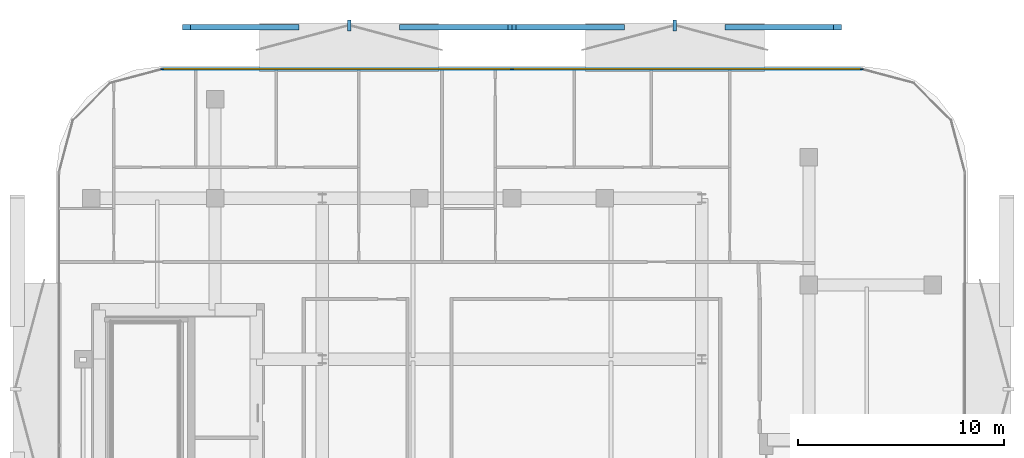
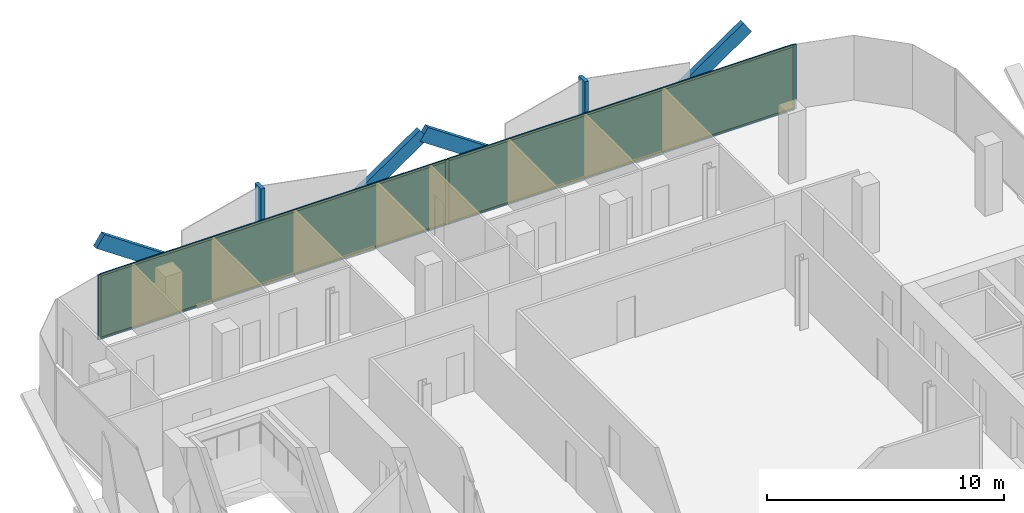
# One storey, part 11 of 14: 13 members, 2 plates, 1 curtain wall.
"""IFC4 building model written with IfcOpenShell, lengths in metres."""

from ifc_helpers import new_model, si_unit, direction, frame, frame_2d, origin, origin_2d, place, context, subcontext, project, spatial, rectangle, extrude, material, layer, layer_set, material_profile, profile_set, type_object, element, aggregate, save


model = new_model("IFC4")

# Units and contexts
model_context = context("Model", 3, precision=1e-05, world=origin(), true_north=direction((0.0, 1.0)))
body_context = subcontext(model_context, "Body", "Model", "MODEL_VIEW")
ifc_project = project(units=[si_unit("LENGTHUNIT", "METRE"), si_unit("AREAUNIT", "SQUARE_METRE"), si_unit("VOLUMEUNIT", "CUBIC_METRE"), si_unit("PLANEANGLEUNIT", "RADIAN"), si_unit("MASSUNIT", "GRAM", prefix="KILO")], contexts=[model_context])

# Member
ifc_material_1 = material(Name="Anodised Bronze Aluminium 6063-T6", Category="aluminium")
ifc_material_profile_1 = material_profile(ifc_material_1, rectangle(XDim=0.260009765625, YDim=0.699951171875, at=origin_2d()))
ifc_profile_set_1 = profile_set([ifc_material_profile_1], Name="Anodised Bronze Aluminium 6063-T6")
member_type_1 = type_object("IfcMemberType", Name="Bronze Diamond Solar-Screen Lattice Rib BDL-700", PredefinedType="MULLION", material=ifc_profile_set_1)
site_placement = place(None, origin())
building_placement = place(site_placement, origin())
storey_placement = place(building_placement, frame((0.0, 0.0, 229.60009765625)))
member_1_placement = place(storey_placement, frame((-5.263671875, 26.89990234375, -0.130126953125), z_axis=(0.82540678728, 0.0, 0.564538426958), x_axis=(0.0, 1.0, 0.0)))
member_1 = element("IfcMember", 1, at=member_1_placement, type_object=member_type_1, Name="L53 Bronze Diamond Solar Screen Lattice Rib 357A", PredefinedType="MULLION", context=body_context, shape_type="SweptSolid", body=[
    extrude(rectangle(XDim=0.260009765625, YDim=0.699951171875, at=origin_2d()), origin(), (0.0, 0.0, 1.0), 6.376953125),
])

member_2_placement = place(storey_placement, frame((-10.527099609375, 26.89990234375, -0.130126953125), z_axis=(-0.82540678728, 0.0, 0.564538426958), x_axis=(0.0, -1.0, 0.0)))
member_2 = element("IfcMember", 2, at=member_2_placement, type_object=member_type_1, Name="L53 Bronze Diamond Solar Screen Lattice Rib 357B", PredefinedType="MULLION", context=body_context, shape_type="SweptSolid", body=[
    extrude(rectangle(XDim=0.260009765625, YDim=0.699951171875, at=origin_2d()), origin(), (0.0, 0.0, 1.0), 6.376953125),
])

member_3_placement = place(storey_placement, frame((10.527099609375, 26.89990234375, -0.130126953125), z_axis=(0.82540678728, 0.0, 0.564538426958), x_axis=(0.0, 1.0, 0.0)))
member_3 = element("IfcMember", 3, at=member_3_placement, type_object=member_type_1, Name="L53 Bronze Diamond Solar Screen Lattice Rib 358A", PredefinedType="MULLION", context=body_context, shape_type="SweptSolid", body=[
    extrude(rectangle(XDim=0.260009765625, YDim=0.699951171875, at=origin_2d()), origin(), (0.0, 0.0, 1.0), 6.376953125),
])

member_4_placement = place(storey_placement, frame((5.263671875, 26.89990234375, -0.130126953125), z_axis=(-0.82540678728, 0.0, 0.564538426958), x_axis=(0.0, -1.0, 0.0)))
member_4 = element("IfcMember", 4, at=member_4_placement, type_object=member_type_1, Name="L53 Bronze Diamond Solar Screen Lattice Rib 358B", PredefinedType="MULLION", context=body_context, shape_type="SweptSolid", body=[
    extrude(rectangle(XDim=0.260009765625, YDim=0.699951171875, at=origin_2d()), origin(), (0.0, 0.0, 1.0), 6.376953125),
])

ifc_material_2 = material(Name="Anodised Bronze Aluminium 6063-T6", Category="aluminium")
ifc_material_profile_2 = material_profile(ifc_material_2, rectangle(XDim=0.179931640625, YDim=0.5400390625, at=origin_2d()))
ifc_profile_set_2 = profile_set([ifc_material_profile_2], Name="Anodised Bronze Aluminium 6063-T6")
member_type_2 = type_object("IfcMemberType", Name="Bronze Solar-Screen Vertical Fold Fin BSF-540", PredefinedType="MULLION", material=ifc_profile_set_2)
member_5_placement = place(storey_placement, frame((-7.8955078125, 26.97998046875, -0.130126953125), z_axis=(0.0, 0.0, 1.0), x_axis=(1.0, 0.0, 0.0)))
member_5 = element("IfcMember", 5, at=member_5_placement, type_object=member_type_2, Name="L53 Bronze Solar Screen Vertical Fin 357", PredefinedType="MULLION", context=body_context, shape_type="SweptSolid", body=[
    extrude(rectangle(XDim=0.179931640625, YDim=0.5400390625, at=origin_2d()), origin(), (0.0, 0.0, 1.0), 3.60009765625),
])

member_6_placement = place(storey_placement, frame((7.8955078125, 26.97998046875, -0.130126953125), z_axis=(0.0, 0.0, 1.0), x_axis=(1.0, 0.0, 0.0)))
member_6 = element("IfcMember", 6, at=member_6_placement, type_object=member_type_2, Name="L53 Bronze Solar Screen Vertical Fin 358", PredefinedType="MULLION", context=body_context, shape_type="SweptSolid", body=[
    extrude(rectangle(XDim=0.179931640625, YDim=0.5400390625, at=origin_2d()), origin(), (0.0, 0.0, 1.0), 3.60009765625),
])

ifc_material_3 = material(Name="Anodised Bronze Aluminium 6063-T6", Category="aluminium")
ifc_material_profile_3 = material_profile(ifc_material_3, rectangle(XDim=0.06005859375, YDim=0.159912109375, at=origin_2d()))
ifc_profile_set_3 = profile_set([ifc_material_profile_3], Name="Anodised Bronze Aluminium 6063-T6")
member_type_3 = type_object("IfcMemberType", Name="CW-Z4 Mullion 60x160", PredefinedType="MULLION", material=ifc_profile_set_3)
member_7_placement = place(storey_placement, frame((-16.960693359375, 24.860107421875, 0.0), z_axis=(0.0, 0.0, 1.0), x_axis=(0.0, 1.0, 0.0)))
member_7 = element("IfcMember", 7, at=member_7_placement, type_object=member_type_3, Name="CW-Z4 mullion 1", PredefinedType="MULLION", context=body_context, shape_type="SweptSolid", body=[
    extrude(rectangle(XDim=0.06005859375, YDim=0.159912109375, at=origin_2d()), origin(), (0.0, 0.0, 1.0), 3.33984375),
])

member_8_placement = place(storey_placement, frame((0.0, 24.860107421875, 0.0), z_axis=(0.0, 0.0, 1.0), x_axis=(0.0, 1.0, 0.0)))
member_8 = element("IfcMember", 8, at=member_8_placement, type_object=member_type_3, Name="CW-Z4 mullion 2", PredefinedType="MULLION", context=body_context, shape_type="SweptSolid", body=[
    extrude(rectangle(XDim=0.06005859375, YDim=0.159912109375, at=origin_2d()), origin(), (0.0, 0.0, 1.0), 3.33984375),
])

member_9_placement = place(storey_placement, frame((16.960693359375, 24.860107421875, 0.0), z_axis=(0.0, 0.0, 1.0), x_axis=(0.0, 1.0, 0.0)))
member_9 = element("IfcMember", 9, at=member_9_placement, type_object=member_type_3, Name="CW-Z4 mullion 3", PredefinedType="MULLION", context=body_context, shape_type="SweptSolid", body=[
    extrude(rectangle(XDim=0.06005859375, YDim=0.159912109375, at=origin_2d()), origin(), (0.0, 0.0, 1.0), 3.33984375),
])

ifc_material_4 = material(Name="Anodised Bronze Aluminium 6063-T6", Category="aluminium")
ifc_material_profile_4 = material_profile(ifc_material_4, rectangle(XDim=0.06005859375, YDim=0.125, at=origin_2d()))
ifc_profile_set_4 = profile_set([ifc_material_profile_4], Name="Anodised Bronze Aluminium 6063-T6")
member_type_4 = type_object("IfcMemberType", Name="CW-Z4 Transom 60x125", PredefinedType="USERDEFINED", material=ifc_profile_set_4)
member_10_placement = place(storey_placement, frame((-16.930908203125, 24.860107421875, 0.02978515625), z_axis=(1.0, 0.0, 0.0), x_axis=(0.0, 1.0, 0.0)))
member_10 = element("IfcMember", 10, at=member_10_placement, type_object=member_type_4, Name="CW-Z4 transom 1.1", ObjectType="TRANSOM", PredefinedType="USERDEFINED", context=body_context, shape_type="SweptSolid", body=[
    extrude(rectangle(XDim=0.06005859375, YDim=0.125, at=origin_2d()), origin(), (0.0, 0.0, 1.0), 16.90087890625),
])

member_11_placement = place(storey_placement, frame((-16.930908203125, 24.860107421875, 3.309814453125), z_axis=(1.0, 0.0, 0.0), x_axis=(0.0, 1.0, 0.0)))
member_11 = element("IfcMember", 11, at=member_11_placement, type_object=member_type_4, Name="CW-Z4 transom 1.2", ObjectType="TRANSOM", PredefinedType="USERDEFINED", context=body_context, shape_type="SweptSolid", body=[
    extrude(rectangle(XDim=0.06005859375, YDim=0.125, at=origin_2d()), origin(), (0.0, 0.0, 1.0), 16.90087890625),
])

member_12_placement = place(storey_placement, frame((0.030029296875, 24.860107421875, 0.02978515625), z_axis=(1.0, 0.0, 0.0), x_axis=(0.0, 1.0, 0.0)))
member_12 = element("IfcMember", 12, at=member_12_placement, type_object=member_type_4, Name="CW-Z4 transom 2.1", ObjectType="TRANSOM", PredefinedType="USERDEFINED", context=body_context, shape_type="SweptSolid", body=[
    extrude(rectangle(XDim=0.06005859375, YDim=0.125, at=origin_2d()), origin(), (0.0, 0.0, 1.0), 16.90087890625),
])

member_13_placement = place(storey_placement, frame((0.030029296875, 24.860107421875, 3.309814453125), z_axis=(1.0, 0.0, 0.0), x_axis=(0.0, 1.0, 0.0)))
member_13 = element("IfcMember", 13, at=member_13_placement, type_object=member_type_4, Name="CW-Z4 transom 2.2", ObjectType="TRANSOM", PredefinedType="USERDEFINED", context=body_context, shape_type="SweptSolid", body=[
    extrude(rectangle(XDim=0.06005859375, YDim=0.125, at=origin_2d()), origin(), (0.0, 0.0, 1.0), 16.90087890625),
])

# Plate
ifc_material_5 = material(Name="Low-E Solar Control Laminated Glass", Category="glass")
ifc_layer_1 = layer(ifc_material_5, 0.030029296875, Name="Low-E Solar Control Laminated Glass")
ifc_layer_set_1 = layer_set([ifc_layer_1], Name="Low-E Solar Control Laminated Glass")
plate_type = type_object("IfcPlateType", Name="CW-Z4 Low-E Double Glazed Panel 30mm", PredefinedType="CURTAIN_PANEL", material=ifc_layer_set_1)
plate_1_placement = place(storey_placement, frame((-8.48046875, 24.860107421875, 0.06005859375), z_axis=(0.0, 0.0, 1.0), x_axis=(1.0, 0.0, 0.0)))
plate_1 = element("IfcPlate", 14, at=plate_1_placement, type_object=plate_type, Name="CW-Z4 panel 1.1", PredefinedType="CURTAIN_PANEL", context=body_context, shape_type="SweptSolid", body=[
    extrude(rectangle(XDim=16.90087890625, YDim=0.030029296875, at=origin_2d()), origin(), (0.0, 0.0, 1.0), 3.219970703125),
])

plate_2_placement = place(storey_placement, frame((8.48046875, 24.860107421875, 0.06005859375), z_axis=(0.0, 0.0, 1.0), x_axis=(1.0, 0.0, 0.0)))
plate_2 = element("IfcPlate", 15, at=plate_2_placement, type_object=plate_type, Name="CW-Z4 panel 2.1", PredefinedType="CURTAIN_PANEL", context=body_context, shape_type="SweptSolid", body=[
    extrude(rectangle(XDim=16.90087890625, YDim=0.030029296875, at=origin_2d()), origin(), (0.0, 0.0, 1.0), 3.219970703125),
])

# Site, building, storey
site = spatial("IfcSite", under=ifc_project, at=site_placement, CompositionType="ELEMENT")
building = spatial("IfcBuilding", under=site, at=building_placement, Name="Khairoan Windgate Tower", CompositionType="ELEMENT")
storey = spatial("IfcBuildingStorey", under=building, at=storey_placement, Name="L53", CompositionType="ELEMENT", Elevation=229.60009765625)

# Curtain wall
ifc_material_6 = material(Name="Anodised Bronze Aluminium 6063-T6", Category="aluminium")
ifc_layer_2 = layer(ifc_material_6, 0.159912109375, Name="Anodised Bronze Aluminium 6063-T6")
ifc_layer_set_2 = layer_set([ifc_layer_2], Name="Anodised Bronze Aluminium 6063-T6")
curtain_wall_type = type_object("IfcCurtainWallType", Name="Sky Residence Unitised Curtain Wall CW-Z4", PredefinedType="NOTDEFINED", material=ifc_layer_set_2)
curtain_wall_placement = place(storey_placement, frame((-16.99072265625, 24.860107421875, 0.0), z_axis=(0.0, 0.0, 1.0), x_axis=(1.0, 0.0, 0.0)))
curtain_wall = element("IfcCurtainWall", 16, at=curtain_wall_placement, inside=storey, type_object=curtain_wall_type, Name="L53 Unitised Curtain Wall 9", PredefinedType="NOTDEFINED", context=body_context, shape_type="SweptSolid", body=[
    extrude(rectangle(XDim=33.9814453125, YDim=0.010009765625, at=frame_2d((16.99072265625, 0.0))), origin(), (0.0, 0.0, 1.0), 3.33984375),
])

aggregate(curtain_wall, [member_7, member_8, member_9, member_10, member_11, plate_1, member_12, member_13, plate_2, member_1, member_2, member_5, member_3, member_4, member_6])

save(model, "model.ifc")
